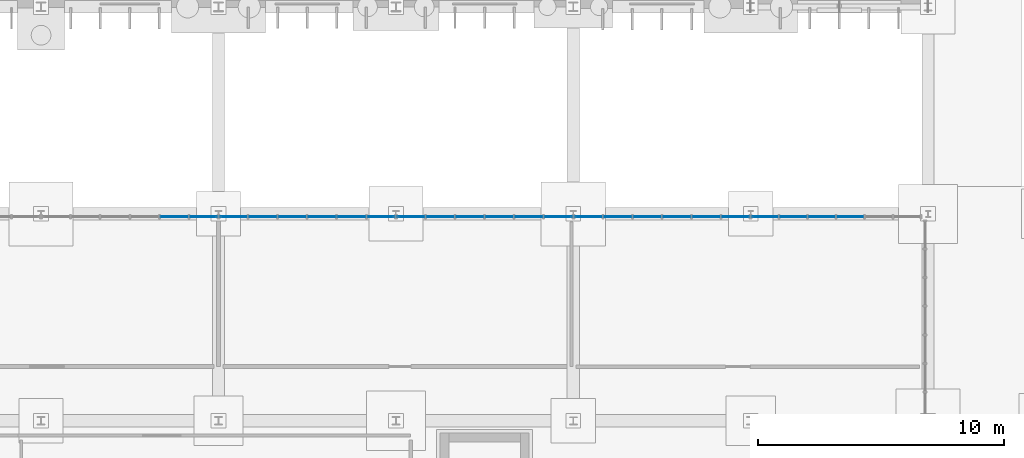
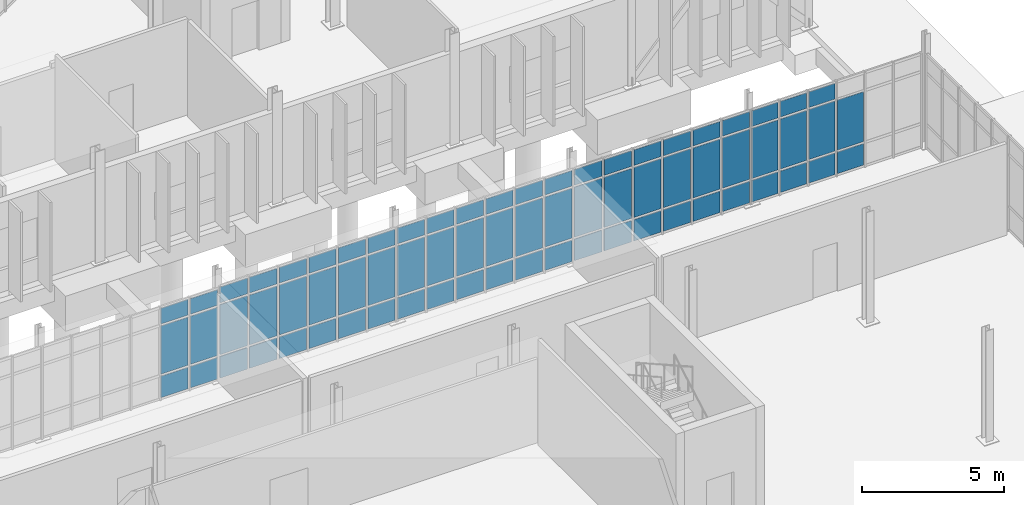
# One storey, part 67 of 118: 71 plates, 5 elements without a shape of their own.
"""IFC4 building model written with IfcOpenShell, lengths in metres."""

from ifc_helpers import new_model, si_unit, direction, frame, origin, origin_2d, place, context, subcontext, project, spatial, rectangle, extrude, material, layer, layer_set, type_object, element, aggregate, save


model = new_model("IFC4")

# Units and contexts
model_context = context("Model", 3, precision=1e-05, world=origin(), true_north=direction((0.0, 1.0)))
body_context = subcontext(model_context, "Body", "Model", "MODEL_VIEW")
ifc_project = project(units=[si_unit("LENGTHUNIT", "METRE"), si_unit("AREAUNIT", "SQUARE_METRE"), si_unit("VOLUMEUNIT", "CUBIC_METRE"), si_unit("PLANEANGLEUNIT", "RADIAN"), si_unit("MASSUNIT", "GRAM", prefix="KILO")], contexts=[model_context])

# Site, building, storey
site_placement = place(None, origin())
site = spatial("IfcSite", under=ifc_project, at=site_placement, CompositionType="ELEMENT")
building_placement = place(site_placement, origin())
building = spatial("IfcBuilding", under=site, at=building_placement, Name="Qelthora Terrace Specialist Clinic", CompositionType="ELEMENT")
storey_placement = place(building_placement, origin())
storey = spatial("IfcBuildingStorey", under=building, at=storey_placement, Name="L00", CompositionType="ELEMENT", Elevation=0.0)

# Curtain wall, plates
ifc_material_1 = material(Name="Aluminium anodized bronze", Category="aluminium")
curtain_wall_type = type_object("IfcCurtainWallType", Name="CW-CONS-X", PredefinedType="NOTDEFINED", material=ifc_material_1)
curtain_wall_1_placement = place(storey_placement, origin())
curtain_wall_1 = element("IfcCurtainWall", 1, at=curtain_wall_1_placement, inside=storey, type_object=curtain_wall_type, Name="Curtain wall CW-L00-217", PredefinedType="NOTDEFINED")
ifc_material_2 = material(Name="Low-E triple-silver insulating glass", Category="glass")
ifc_layer = layer(ifc_material_2, 0.035888671875)
ifc_layer_set = layer_set([ifc_layer], Name="Low-E triple-silver insulating glass")
plate_type = type_object("IfcPlateType", Name="CWP-IGU-36", PredefinedType="CURTAIN_PANEL", material=ifc_layer_set)
plate_1_placement = place(storey_placement, frame((127.800048828125, 25.080078125, 0.0849609375), z_axis=(0.0, 0.0, 1.0), x_axis=(1.0, 0.0, 0.0)))
plate_1 = element("IfcPlate", 2, at=plate_1_placement, type_object=plate_type, Name="CW-L00-217 glazed panel 13", PredefinedType="CURTAIN_PANEL", context=body_context, shape_type="SweptSolid", body=[
    extrude(rectangle(XDim=1.10009765625, YDim=0.035888671875, at=origin_2d()), origin(), (0.0, 0.0, 1.0), 0.919921875),
])
plate_2_placement = place(storey_placement, frame((127.800048828125, 25.080078125, 1.094970703125), z_axis=(0.0, 0.0, 1.0), x_axis=(1.0, 0.0, 0.0)))
plate_2 = element("IfcPlate", 3, at=plate_2_placement, type_object=plate_type, Name="CW-L00-217 glazed panel 14", PredefinedType="CURTAIN_PANEL", context=body_context, shape_type="SweptSolid", body=[
    extrude(rectangle(XDim=1.10009765625, YDim=0.035888671875, at=origin_2d()), origin(), (0.0, 0.0, 1.0), 2.06494140625),
])
plate_3_placement = place(storey_placement, frame((127.800048828125, 25.080078125, 3.25), z_axis=(0.0, 0.0, 1.0), x_axis=(1.0, 0.0, 0.0)))
plate_3 = element("IfcPlate", 4, at=plate_3_placement, type_object=plate_type, Name="CW-L00-217 glazed panel 15", PredefinedType="CURTAIN_PANEL", context=body_context, shape_type="SweptSolid", body=[
    extrude(rectangle(XDim=1.10009765625, YDim=0.035888671875, at=origin_2d()), origin(), (0.0, 0.0, 1.0), 0.669921875),
])
plate_4_placement = place(storey_placement, frame((129.0, 25.080078125, 0.0849609375), z_axis=(0.0, 0.0, 1.0), x_axis=(1.0, 0.0, 0.0)))
plate_4 = element("IfcPlate", 5, at=plate_4_placement, type_object=plate_type, Name="CW-L00-217 glazed panel 16", PredefinedType="CURTAIN_PANEL", context=body_context, shape_type="SweptSolid", body=[
    extrude(rectangle(XDim=1.10009765625, YDim=0.035888671875, at=origin_2d()), origin(), (0.0, 0.0, 1.0), 0.919921875),
])
plate_5_placement = place(storey_placement, frame((129.0, 25.080078125, 1.094970703125), z_axis=(0.0, 0.0, 1.0), x_axis=(1.0, 0.0, 0.0)))
plate_5 = element("IfcPlate", 6, at=plate_5_placement, type_object=plate_type, Name="CW-L00-217 glazed panel 17", PredefinedType="CURTAIN_PANEL", context=body_context, shape_type="SweptSolid", body=[
    extrude(rectangle(XDim=1.10009765625, YDim=0.035888671875, at=origin_2d()), origin(), (0.0, 0.0, 1.0), 2.06494140625),
])
plate_6_placement = place(storey_placement, frame((129.0, 25.080078125, 3.25), z_axis=(0.0, 0.0, 1.0), x_axis=(1.0, 0.0, 0.0)))
plate_6 = element("IfcPlate", 7, at=plate_6_placement, type_object=plate_type, Name="CW-L00-217 glazed panel 18", PredefinedType="CURTAIN_PANEL", context=body_context, shape_type="SweptSolid", body=[
    extrude(rectangle(XDim=1.10009765625, YDim=0.035888671875, at=origin_2d()), origin(), (0.0, 0.0, 1.0), 0.669921875),
])
aggregate(curtain_wall_1, [plate_1, plate_2, plate_3, plate_4, plate_5, plate_6])

curtain_wall_2_placement = place(storey_placement, origin())
curtain_wall_2 = element("IfcCurtainWall", 8, at=curtain_wall_2_placement, inside=storey, type_object=curtain_wall_type, Name="Curtain wall CW-L00-218", PredefinedType="NOTDEFINED")
plate_7_placement = place(storey_placement, frame((130.199951171875, 25.080078125, 0.0849609375), z_axis=(0.0, 0.0, 1.0), x_axis=(1.0, 0.0, 0.0)))
plate_7 = element("IfcPlate", 9, at=plate_7_placement, type_object=plate_type, Name="CW-L00-218 glazed panel 1", PredefinedType="CURTAIN_PANEL", context=body_context, shape_type="SweptSolid", body=[
    extrude(rectangle(XDim=1.10009765625, YDim=0.035888671875, at=origin_2d()), origin(), (0.0, 0.0, 1.0), 0.919921875),
])
plate_8_placement = place(storey_placement, frame((130.199951171875, 25.080078125, 1.09521484375), z_axis=(0.0, 0.0, 1.0), x_axis=(1.0, 0.0, 0.0)))
plate_8 = element("IfcPlate", 10, at=plate_8_placement, type_object=plate_type, Name="CW-L00-218 glazed panel 2", PredefinedType="CURTAIN_PANEL", context=body_context, shape_type="SweptSolid", body=[
    extrude(rectangle(XDim=1.10009765625, YDim=0.035888671875, at=origin_2d()), origin(), (0.0, 0.0, 1.0), 2.135986328125),
])
plate_9_placement = place(storey_placement, frame((130.199951171875, 25.080078125, 3.321044921875), z_axis=(0.0, 0.0, 1.0), x_axis=(1.0, 0.0, 0.0)))
plate_9 = element("IfcPlate", 11, at=plate_9_placement, type_object=plate_type, Name="CW-L00-218 glazed panel 3", PredefinedType="CURTAIN_PANEL", context=body_context, shape_type="SweptSolid", body=[
    extrude(rectangle(XDim=1.10009765625, YDim=0.035888671875, at=origin_2d()), origin(), (0.0, 0.0, 1.0), 0.669921875),
])
plate_10_placement = place(storey_placement, frame((131.39990234375, 25.080078125, 0.0849609375), z_axis=(0.0, 0.0, 1.0), x_axis=(1.0, 0.0, 0.0)))
plate_10 = element("IfcPlate", 12, at=plate_10_placement, type_object=plate_type, Name="CW-L00-218 glazed panel 4", PredefinedType="CURTAIN_PANEL", context=body_context, shape_type="SweptSolid", body=[
    extrude(rectangle(XDim=1.10009765625, YDim=0.035888671875, at=origin_2d()), origin(), (0.0, 0.0, 1.0), 0.919921875),
])
plate_11_placement = place(storey_placement, frame((131.39990234375, 25.080078125, 1.09521484375), z_axis=(0.0, 0.0, 1.0), x_axis=(1.0, 0.0, 0.0)))
plate_11 = element("IfcPlate", 13, at=plate_11_placement, type_object=plate_type, Name="CW-L00-218 glazed panel 5", PredefinedType="CURTAIN_PANEL", context=body_context, shape_type="SweptSolid", body=[
    extrude(rectangle(XDim=1.10009765625, YDim=0.035888671875, at=origin_2d()), origin(), (0.0, 0.0, 1.0), 2.135986328125),
])
plate_12_placement = place(storey_placement, frame((131.39990234375, 25.080078125, 3.321044921875), z_axis=(0.0, 0.0, 1.0), x_axis=(1.0, 0.0, 0.0)))
plate_12 = element("IfcPlate", 14, at=plate_12_placement, type_object=plate_type, Name="CW-L00-218 glazed panel 6", PredefinedType="CURTAIN_PANEL", context=body_context, shape_type="SweptSolid", body=[
    extrude(rectangle(XDim=1.10009765625, YDim=0.035888671875, at=origin_2d()), origin(), (0.0, 0.0, 1.0), 0.669921875),
])
plate_13_placement = place(storey_placement, frame((132.60009765625, 25.080078125, 0.0849609375), z_axis=(0.0, 0.0, 1.0), x_axis=(1.0, 0.0, 0.0)))
plate_13 = element("IfcPlate", 15, at=plate_13_placement, type_object=plate_type, Name="CW-L00-218 glazed panel 7", PredefinedType="CURTAIN_PANEL", context=body_context, shape_type="SweptSolid", body=[
    extrude(rectangle(XDim=1.10009765625, YDim=0.035888671875, at=origin_2d()), origin(), (0.0, 0.0, 1.0), 0.919921875),
])
plate_14_placement = place(storey_placement, frame((132.60009765625, 25.080078125, 1.09521484375), z_axis=(0.0, 0.0, 1.0), x_axis=(1.0, 0.0, 0.0)))
plate_14 = element("IfcPlate", 16, at=plate_14_placement, type_object=plate_type, Name="CW-L00-218 glazed panel 8", PredefinedType="CURTAIN_PANEL", context=body_context, shape_type="SweptSolid", body=[
    extrude(rectangle(XDim=1.10009765625, YDim=0.035888671875, at=origin_2d()), origin(), (0.0, 0.0, 1.0), 2.135986328125),
])
plate_15_placement = place(storey_placement, frame((132.60009765625, 25.080078125, 3.321044921875), z_axis=(0.0, 0.0, 1.0), x_axis=(1.0, 0.0, 0.0)))
plate_15 = element("IfcPlate", 17, at=plate_15_placement, type_object=plate_type, Name="CW-L00-218 glazed panel 9", PredefinedType="CURTAIN_PANEL", context=body_context, shape_type="SweptSolid", body=[
    extrude(rectangle(XDim=1.10009765625, YDim=0.035888671875, at=origin_2d()), origin(), (0.0, 0.0, 1.0), 0.669921875),
])
plate_16_placement = place(storey_placement, frame((133.800048828125, 25.080078125, 0.0849609375), z_axis=(0.0, 0.0, 1.0), x_axis=(1.0, 0.0, 0.0)))
plate_16 = element("IfcPlate", 18, at=plate_16_placement, type_object=plate_type, Name="CW-L00-218 glazed panel 10", PredefinedType="CURTAIN_PANEL", context=body_context, shape_type="SweptSolid", body=[
    extrude(rectangle(XDim=1.10009765625, YDim=0.035888671875, at=origin_2d()), origin(), (0.0, 0.0, 1.0), 0.919921875),
])
plate_17_placement = place(storey_placement, frame((133.800048828125, 25.080078125, 1.09521484375), z_axis=(0.0, 0.0, 1.0), x_axis=(1.0, 0.0, 0.0)))
plate_17 = element("IfcPlate", 19, at=plate_17_placement, type_object=plate_type, Name="CW-L00-218 glazed panel 11", PredefinedType="CURTAIN_PANEL", context=body_context, shape_type="SweptSolid", body=[
    extrude(rectangle(XDim=1.10009765625, YDim=0.035888671875, at=origin_2d()), origin(), (0.0, 0.0, 1.0), 2.135986328125),
])
plate_18_placement = place(storey_placement, frame((133.800048828125, 25.080078125, 3.321044921875), z_axis=(0.0, 0.0, 1.0), x_axis=(1.0, 0.0, 0.0)))
plate_18 = element("IfcPlate", 20, at=plate_18_placement, type_object=plate_type, Name="CW-L00-218 glazed panel 12", PredefinedType="CURTAIN_PANEL", context=body_context, shape_type="SweptSolid", body=[
    extrude(rectangle(XDim=1.10009765625, YDim=0.035888671875, at=origin_2d()), origin(), (0.0, 0.0, 1.0), 0.669921875),
])
plate_19_placement = place(storey_placement, frame((135.0, 25.080078125, 0.0849609375), z_axis=(0.0, 0.0, 1.0), x_axis=(1.0, 0.0, 0.0)))
plate_19 = element("IfcPlate", 21, at=plate_19_placement, type_object=plate_type, Name="CW-L00-218 glazed panel 13", PredefinedType="CURTAIN_PANEL", context=body_context, shape_type="SweptSolid", body=[
    extrude(rectangle(XDim=1.10009765625, YDim=0.035888671875, at=origin_2d()), origin(), (0.0, 0.0, 1.0), 0.919921875),
])
plate_20_placement = place(storey_placement, frame((135.0, 25.080078125, 1.09521484375), z_axis=(0.0, 0.0, 1.0), x_axis=(1.0, 0.0, 0.0)))
plate_20 = element("IfcPlate", 22, at=plate_20_placement, type_object=plate_type, Name="CW-L00-218 glazed panel 14", PredefinedType="CURTAIN_PANEL", context=body_context, shape_type="SweptSolid", body=[
    extrude(rectangle(XDim=1.10009765625, YDim=0.035888671875, at=origin_2d()), origin(), (0.0, 0.0, 1.0), 2.135986328125),
])
plate_21_placement = place(storey_placement, frame((135.0, 25.080078125, 3.321044921875), z_axis=(0.0, 0.0, 1.0), x_axis=(1.0, 0.0, 0.0)))
plate_21 = element("IfcPlate", 23, at=plate_21_placement, type_object=plate_type, Name="CW-L00-218 glazed panel 15", PredefinedType="CURTAIN_PANEL", context=body_context, shape_type="SweptSolid", body=[
    extrude(rectangle(XDim=1.10009765625, YDim=0.035888671875, at=origin_2d()), origin(), (0.0, 0.0, 1.0), 0.669921875),
])
plate_22_placement = place(storey_placement, frame((136.199951171875, 25.080078125, 0.0849609375), z_axis=(0.0, 0.0, 1.0), x_axis=(1.0, 0.0, 0.0)))
plate_22 = element("IfcPlate", 24, at=plate_22_placement, type_object=plate_type, Name="CW-L00-218 glazed panel 16", PredefinedType="CURTAIN_PANEL", context=body_context, shape_type="SweptSolid", body=[
    extrude(rectangle(XDim=1.10009765625, YDim=0.035888671875, at=origin_2d()), origin(), (0.0, 0.0, 1.0), 0.919921875),
])
plate_23_placement = place(storey_placement, frame((136.199951171875, 25.080078125, 1.09521484375), z_axis=(0.0, 0.0, 1.0), x_axis=(1.0, 0.0, 0.0)))
plate_23 = element("IfcPlate", 25, at=plate_23_placement, type_object=plate_type, Name="CW-L00-218 glazed panel 17", PredefinedType="CURTAIN_PANEL", context=body_context, shape_type="SweptSolid", body=[
    extrude(rectangle(XDim=1.10009765625, YDim=0.035888671875, at=origin_2d()), origin(), (0.0, 0.0, 1.0), 2.135986328125),
])
plate_24_placement = place(storey_placement, frame((136.199951171875, 25.080078125, 3.321044921875), z_axis=(0.0, 0.0, 1.0), x_axis=(1.0, 0.0, 0.0)))
plate_24 = element("IfcPlate", 26, at=plate_24_placement, type_object=plate_type, Name="CW-L00-218 glazed panel 18", PredefinedType="CURTAIN_PANEL", context=body_context, shape_type="SweptSolid", body=[
    extrude(rectangle(XDim=1.10009765625, YDim=0.035888671875, at=origin_2d()), origin(), (0.0, 0.0, 1.0), 0.669921875),
])
aggregate(curtain_wall_2, [plate_7, plate_8, plate_9, plate_10, plate_11, plate_12, plate_13, plate_14, plate_15, plate_16, plate_17, plate_18, plate_19, plate_20, plate_21, plate_22, plate_23, plate_24])

curtain_wall_3_placement = place(storey_placement, origin())
curtain_wall_3 = element("IfcCurtainWall", 27, at=curtain_wall_3_placement, inside=storey, type_object=curtain_wall_type, Name="Curtain wall CW-L00-219", PredefinedType="NOTDEFINED")
plate_25_placement = place(storey_placement, frame((137.39990234375, 25.080078125, 0.0849609375), z_axis=(0.0, 0.0, 1.0), x_axis=(1.0, 0.0, 0.0)))
plate_25 = element("IfcPlate", 28, at=plate_25_placement, type_object=plate_type, Name="CW-L00-219 glazed panel 1", PredefinedType="CURTAIN_PANEL", context=body_context, shape_type="SweptSolid", body=[
    extrude(rectangle(XDim=1.10009765625, YDim=0.035888671875, at=origin_2d()), origin(), (0.0, 0.0, 1.0), 0.919921875),
])
plate_26_placement = place(storey_placement, frame((137.39990234375, 25.080078125, 1.094970703125), z_axis=(0.0, 0.0, 1.0), x_axis=(1.0, 0.0, 0.0)))
plate_26 = element("IfcPlate", 29, at=plate_26_placement, type_object=plate_type, Name="CW-L00-219 glazed panel 2", PredefinedType="CURTAIN_PANEL", context=body_context, shape_type="SweptSolid", body=[
    extrude(rectangle(XDim=1.10009765625, YDim=0.035888671875, at=origin_2d()), origin(), (0.0, 0.0, 1.0), 2.14208984375),
])
plate_27_placement = place(storey_placement, frame((137.39990234375, 25.080078125, 3.3271484375), z_axis=(0.0, 0.0, 1.0), x_axis=(1.0, 0.0, 0.0)))
plate_27 = element("IfcPlate", 30, at=plate_27_placement, type_object=plate_type, Name="CW-L00-219 glazed panel 3", PredefinedType="CURTAIN_PANEL", context=body_context, shape_type="SweptSolid", body=[
    extrude(rectangle(XDim=1.10009765625, YDim=0.035888671875, at=origin_2d()), origin(), (0.0, 0.0, 1.0), 0.669921875),
])
plate_28_placement = place(storey_placement, frame((138.60009765625, 25.080078125, 0.0849609375), z_axis=(0.0, 0.0, 1.0), x_axis=(1.0, 0.0, 0.0)))
plate_28 = element("IfcPlate", 31, at=plate_28_placement, type_object=plate_type, Name="CW-L00-219 glazed panel 4", PredefinedType="CURTAIN_PANEL", context=body_context, shape_type="SweptSolid", body=[
    extrude(rectangle(XDim=1.10009765625, YDim=0.035888671875, at=origin_2d()), origin(), (0.0, 0.0, 1.0), 0.919921875),
])
plate_29_placement = place(storey_placement, frame((138.60009765625, 25.080078125, 1.094970703125), z_axis=(0.0, 0.0, 1.0), x_axis=(1.0, 0.0, 0.0)))
plate_29 = element("IfcPlate", 32, at=plate_29_placement, type_object=plate_type, Name="CW-L00-219 glazed panel 5", PredefinedType="CURTAIN_PANEL", context=body_context, shape_type="SweptSolid", body=[
    extrude(rectangle(XDim=1.10009765625, YDim=0.035888671875, at=origin_2d()), origin(), (0.0, 0.0, 1.0), 2.14208984375),
])
plate_30_placement = place(storey_placement, frame((138.60009765625, 25.080078125, 3.3271484375), z_axis=(0.0, 0.0, 1.0), x_axis=(1.0, 0.0, 0.0)))
plate_30 = element("IfcPlate", 33, at=plate_30_placement, type_object=plate_type, Name="CW-L00-219 glazed panel 6", PredefinedType="CURTAIN_PANEL", context=body_context, shape_type="SweptSolid", body=[
    extrude(rectangle(XDim=1.10009765625, YDim=0.035888671875, at=origin_2d()), origin(), (0.0, 0.0, 1.0), 0.669921875),
])
plate_31_placement = place(storey_placement, frame((139.800048828125, 25.080078125, 0.0849609375), z_axis=(0.0, 0.0, 1.0), x_axis=(1.0, 0.0, 0.0)))
plate_31 = element("IfcPlate", 34, at=plate_31_placement, type_object=plate_type, Name="CW-L00-219 glazed panel 7", PredefinedType="CURTAIN_PANEL", context=body_context, shape_type="SweptSolid", body=[
    extrude(rectangle(XDim=1.10009765625, YDim=0.035888671875, at=origin_2d()), origin(), (0.0, 0.0, 1.0), 0.919921875),
])
plate_32_placement = place(storey_placement, frame((139.800048828125, 25.080078125, 1.094970703125), z_axis=(0.0, 0.0, 1.0), x_axis=(1.0, 0.0, 0.0)))
plate_32 = element("IfcPlate", 35, at=plate_32_placement, type_object=plate_type, Name="CW-L00-219 glazed panel 8", PredefinedType="CURTAIN_PANEL", context=body_context, shape_type="SweptSolid", body=[
    extrude(rectangle(XDim=1.10009765625, YDim=0.035888671875, at=origin_2d()), origin(), (0.0, 0.0, 1.0), 2.14208984375),
])
plate_33_placement = place(storey_placement, frame((139.800048828125, 25.080078125, 3.3271484375), z_axis=(0.0, 0.0, 1.0), x_axis=(1.0, 0.0, 0.0)))
plate_33 = element("IfcPlate", 36, at=plate_33_placement, type_object=plate_type, Name="CW-L00-219 glazed panel 9", PredefinedType="CURTAIN_PANEL", context=body_context, shape_type="SweptSolid", body=[
    extrude(rectangle(XDim=1.10009765625, YDim=0.035888671875, at=origin_2d()), origin(), (0.0, 0.0, 1.0), 0.669921875),
])
plate_34_placement = place(storey_placement, frame((141.0, 25.080078125, 0.0849609375), z_axis=(0.0, 0.0, 1.0), x_axis=(1.0, 0.0, 0.0)))
plate_34 = element("IfcPlate", 37, at=plate_34_placement, type_object=plate_type, Name="CW-L00-219 glazed panel 10", PredefinedType="CURTAIN_PANEL", context=body_context, shape_type="SweptSolid", body=[
    extrude(rectangle(XDim=1.10009765625, YDim=0.035888671875, at=origin_2d()), origin(), (0.0, 0.0, 1.0), 0.919921875),
])
plate_35_placement = place(storey_placement, frame((141.0, 25.080078125, 1.094970703125), z_axis=(0.0, 0.0, 1.0), x_axis=(1.0, 0.0, 0.0)))
plate_35 = element("IfcPlate", 38, at=plate_35_placement, type_object=plate_type, Name="CW-L00-219 glazed panel 11", PredefinedType="CURTAIN_PANEL", context=body_context, shape_type="SweptSolid", body=[
    extrude(rectangle(XDim=1.10009765625, YDim=0.035888671875, at=origin_2d()), origin(), (0.0, 0.0, 1.0), 2.14208984375),
])
plate_36_placement = place(storey_placement, frame((141.0, 25.080078125, 3.3271484375), z_axis=(0.0, 0.0, 1.0), x_axis=(1.0, 0.0, 0.0)))
plate_36 = element("IfcPlate", 39, at=plate_36_placement, type_object=plate_type, Name="CW-L00-219 glazed panel 12", PredefinedType="CURTAIN_PANEL", context=body_context, shape_type="SweptSolid", body=[
    extrude(rectangle(XDim=1.10009765625, YDim=0.035888671875, at=origin_2d()), origin(), (0.0, 0.0, 1.0), 0.669921875),
])
plate_37_placement = place(storey_placement, frame((142.199951171875, 25.080078125, 0.0849609375), z_axis=(0.0, 0.0, 1.0), x_axis=(1.0, 0.0, 0.0)))
plate_37 = element("IfcPlate", 40, at=plate_37_placement, type_object=plate_type, Name="CW-L00-219 glazed panel 13", PredefinedType="CURTAIN_PANEL", context=body_context, shape_type="SweptSolid", body=[
    extrude(rectangle(XDim=1.10009765625, YDim=0.035888671875, at=origin_2d()), origin(), (0.0, 0.0, 1.0), 0.919921875),
])
plate_38_placement = place(storey_placement, frame((142.199951171875, 25.080078125, 1.094970703125), z_axis=(0.0, 0.0, 1.0), x_axis=(1.0, 0.0, 0.0)))
plate_38 = element("IfcPlate", 41, at=plate_38_placement, type_object=plate_type, Name="CW-L00-219 glazed panel 14", PredefinedType="CURTAIN_PANEL", context=body_context, shape_type="SweptSolid", body=[
    extrude(rectangle(XDim=1.10009765625, YDim=0.035888671875, at=origin_2d()), origin(), (0.0, 0.0, 1.0), 2.14208984375),
])
plate_39_placement = place(storey_placement, frame((142.199951171875, 25.080078125, 3.3271484375), z_axis=(0.0, 0.0, 1.0), x_axis=(1.0, 0.0, 0.0)))
plate_39 = element("IfcPlate", 42, at=plate_39_placement, type_object=plate_type, Name="CW-L00-219 glazed panel 15", PredefinedType="CURTAIN_PANEL", context=body_context, shape_type="SweptSolid", body=[
    extrude(rectangle(XDim=1.10009765625, YDim=0.035888671875, at=origin_2d()), origin(), (0.0, 0.0, 1.0), 0.669921875),
])
plate_40_placement = place(storey_placement, frame((143.39990234375, 25.080078125, 0.0849609375), z_axis=(0.0, 0.0, 1.0), x_axis=(1.0, 0.0, 0.0)))
plate_40 = element("IfcPlate", 43, at=plate_40_placement, type_object=plate_type, Name="CW-L00-219 glazed panel 16", PredefinedType="CURTAIN_PANEL", context=body_context, shape_type="SweptSolid", body=[
    extrude(rectangle(XDim=1.10009765625, YDim=0.035888671875, at=origin_2d()), origin(), (0.0, 0.0, 1.0), 0.919921875),
])
plate_41_placement = place(storey_placement, frame((143.39990234375, 25.080078125, 1.094970703125), z_axis=(0.0, 0.0, 1.0), x_axis=(1.0, 0.0, 0.0)))
plate_41 = element("IfcPlate", 44, at=plate_41_placement, type_object=plate_type, Name="CW-L00-219 glazed panel 17", PredefinedType="CURTAIN_PANEL", context=body_context, shape_type="SweptSolid", body=[
    extrude(rectangle(XDim=1.10009765625, YDim=0.035888671875, at=origin_2d()), origin(), (0.0, 0.0, 1.0), 2.14208984375),
])
plate_42_placement = place(storey_placement, frame((143.39990234375, 25.080078125, 3.3271484375), z_axis=(0.0, 0.0, 1.0), x_axis=(1.0, 0.0, 0.0)))
plate_42 = element("IfcPlate", 45, at=plate_42_placement, type_object=plate_type, Name="CW-L00-219 glazed panel 18", PredefinedType="CURTAIN_PANEL", context=body_context, shape_type="SweptSolid", body=[
    extrude(rectangle(XDim=1.10009765625, YDim=0.035888671875, at=origin_2d()), origin(), (0.0, 0.0, 1.0), 0.669921875),
])
aggregate(curtain_wall_3, [plate_25, plate_26, plate_27, plate_28, plate_29, plate_30, plate_31, plate_32, plate_33, plate_34, plate_35, plate_36, plate_37, plate_38, plate_39, plate_40, plate_41, plate_42])

curtain_wall_4_placement = place(storey_placement, origin())
curtain_wall_4 = element("IfcCurtainWall", 46, at=curtain_wall_4_placement, inside=storey, type_object=curtain_wall_type, Name="Curtain wall CW-L00-220", PredefinedType="NOTDEFINED")
plate_43_placement = place(storey_placement, frame((144.60009765625, 25.080078125, 0.0849609375), z_axis=(0.0, 0.0, 1.0), x_axis=(1.0, 0.0, 0.0)))
plate_43 = element("IfcPlate", 47, at=plate_43_placement, type_object=plate_type, Name="CW-L00-220 glazed panel 1", PredefinedType="CURTAIN_PANEL", context=body_context, shape_type="SweptSolid", body=[
    extrude(rectangle(XDim=1.10009765625, YDim=0.035888671875, at=origin_2d()), origin(), (0.0, 0.0, 1.0), 0.919921875),
])
plate_44_placement = place(storey_placement, frame((144.60009765625, 25.080078125, 1.094970703125), z_axis=(0.0, 0.0, 1.0), x_axis=(1.0, 0.0, 0.0)))
plate_44 = element("IfcPlate", 48, at=plate_44_placement, type_object=plate_type, Name="CW-L00-220 glazed panel 2", PredefinedType="CURTAIN_PANEL", context=body_context, shape_type="SweptSolid", body=[
    extrude(rectangle(XDim=1.10009765625, YDim=0.035888671875, at=origin_2d()), origin(), (0.0, 0.0, 1.0), 2.14208984375),
])
plate_45_placement = place(storey_placement, frame((144.60009765625, 25.080078125, 3.3271484375), z_axis=(0.0, 0.0, 1.0), x_axis=(1.0, 0.0, 0.0)))
plate_45 = element("IfcPlate", 49, at=plate_45_placement, type_object=plate_type, Name="CW-L00-220 glazed panel 3", PredefinedType="CURTAIN_PANEL", context=body_context, shape_type="SweptSolid", body=[
    extrude(rectangle(XDim=1.10009765625, YDim=0.035888671875, at=origin_2d()), origin(), (0.0, 0.0, 1.0), 0.669921875),
])
plate_46_placement = place(storey_placement, frame((145.800048828125, 25.080078125, 0.0849609375), z_axis=(0.0, 0.0, 1.0), x_axis=(1.0, 0.0, 0.0)))
plate_46 = element("IfcPlate", 50, at=plate_46_placement, type_object=plate_type, Name="CW-L00-220 glazed panel 4", PredefinedType="CURTAIN_PANEL", context=body_context, shape_type="SweptSolid", body=[
    extrude(rectangle(XDim=1.10009765625, YDim=0.035888671875, at=origin_2d()), origin(), (0.0, 0.0, 1.0), 0.919921875),
])
plate_47_placement = place(storey_placement, frame((145.800048828125, 25.080078125, 1.094970703125), z_axis=(0.0, 0.0, 1.0), x_axis=(1.0, 0.0, 0.0)))
plate_47 = element("IfcPlate", 51, at=plate_47_placement, type_object=plate_type, Name="CW-L00-220 glazed panel 5", PredefinedType="CURTAIN_PANEL", context=body_context, shape_type="SweptSolid", body=[
    extrude(rectangle(XDim=1.10009765625, YDim=0.035888671875, at=origin_2d()), origin(), (0.0, 0.0, 1.0), 2.14208984375),
])
plate_48_placement = place(storey_placement, frame((145.800048828125, 25.080078125, 3.3271484375), z_axis=(0.0, 0.0, 1.0), x_axis=(1.0, 0.0, 0.0)))
plate_48 = element("IfcPlate", 52, at=plate_48_placement, type_object=plate_type, Name="CW-L00-220 glazed panel 6", PredefinedType="CURTAIN_PANEL", context=body_context, shape_type="SweptSolid", body=[
    extrude(rectangle(XDim=1.10009765625, YDim=0.035888671875, at=origin_2d()), origin(), (0.0, 0.0, 1.0), 0.669921875),
])
plate_49_placement = place(storey_placement, frame((147.0, 25.080078125, 0.0849609375), z_axis=(0.0, 0.0, 1.0), x_axis=(1.0, 0.0, 0.0)))
plate_49 = element("IfcPlate", 53, at=plate_49_placement, type_object=plate_type, Name="CW-L00-220 glazed panel 7", PredefinedType="CURTAIN_PANEL", context=body_context, shape_type="SweptSolid", body=[
    extrude(rectangle(XDim=1.10009765625, YDim=0.035888671875, at=origin_2d()), origin(), (0.0, 0.0, 1.0), 0.919921875),
])
plate_50_placement = place(storey_placement, frame((147.0, 25.080078125, 1.094970703125), z_axis=(0.0, 0.0, 1.0), x_axis=(1.0, 0.0, 0.0)))
plate_50 = element("IfcPlate", 54, at=plate_50_placement, type_object=plate_type, Name="CW-L00-220 glazed panel 8", PredefinedType="CURTAIN_PANEL", context=body_context, shape_type="SweptSolid", body=[
    extrude(rectangle(XDim=1.10009765625, YDim=0.035888671875, at=origin_2d()), origin(), (0.0, 0.0, 1.0), 2.14208984375),
])
plate_51_placement = place(storey_placement, frame((147.0, 25.080078125, 3.3271484375), z_axis=(0.0, 0.0, 1.0), x_axis=(1.0, 0.0, 0.0)))
plate_51 = element("IfcPlate", 55, at=plate_51_placement, type_object=plate_type, Name="CW-L00-220 glazed panel 9", PredefinedType="CURTAIN_PANEL", context=body_context, shape_type="SweptSolid", body=[
    extrude(rectangle(XDim=1.10009765625, YDim=0.035888671875, at=origin_2d()), origin(), (0.0, 0.0, 1.0), 0.669921875),
])
plate_52_placement = place(storey_placement, frame((148.199951171875, 25.080078125, 0.0849609375), z_axis=(0.0, 0.0, 1.0), x_axis=(1.0, 0.0, 0.0)))
plate_52 = element("IfcPlate", 56, at=plate_52_placement, type_object=plate_type, Name="CW-L00-220 glazed panel 10", PredefinedType="CURTAIN_PANEL", context=body_context, shape_type="SweptSolid", body=[
    extrude(rectangle(XDim=1.10009765625, YDim=0.035888671875, at=origin_2d()), origin(), (0.0, 0.0, 1.0), 0.919921875),
])
plate_53_placement = place(storey_placement, frame((148.199951171875, 25.080078125, 1.094970703125), z_axis=(0.0, 0.0, 1.0), x_axis=(1.0, 0.0, 0.0)))
plate_53 = element("IfcPlate", 57, at=plate_53_placement, type_object=plate_type, Name="CW-L00-220 glazed panel 11", PredefinedType="CURTAIN_PANEL", context=body_context, shape_type="SweptSolid", body=[
    extrude(rectangle(XDim=1.10009765625, YDim=0.035888671875, at=origin_2d()), origin(), (0.0, 0.0, 1.0), 2.14208984375),
])
plate_54_placement = place(storey_placement, frame((148.199951171875, 25.080078125, 3.3271484375), z_axis=(0.0, 0.0, 1.0), x_axis=(1.0, 0.0, 0.0)))
plate_54 = element("IfcPlate", 58, at=plate_54_placement, type_object=plate_type, Name="CW-L00-220 glazed panel 12", PredefinedType="CURTAIN_PANEL", context=body_context, shape_type="SweptSolid", body=[
    extrude(rectangle(XDim=1.10009765625, YDim=0.035888671875, at=origin_2d()), origin(), (0.0, 0.0, 1.0), 0.669921875),
])
plate_55_placement = place(storey_placement, frame((149.39990234375, 25.080078125, 0.0849609375), z_axis=(0.0, 0.0, 1.0), x_axis=(1.0, 0.0, 0.0)))
plate_55 = element("IfcPlate", 59, at=plate_55_placement, type_object=plate_type, Name="CW-L00-220 glazed panel 13", PredefinedType="CURTAIN_PANEL", context=body_context, shape_type="SweptSolid", body=[
    extrude(rectangle(XDim=1.10009765625, YDim=0.035888671875, at=origin_2d()), origin(), (0.0, 0.0, 1.0), 0.919921875),
])
plate_56_placement = place(storey_placement, frame((149.39990234375, 25.080078125, 1.094970703125), z_axis=(0.0, 0.0, 1.0), x_axis=(1.0, 0.0, 0.0)))
plate_56 = element("IfcPlate", 60, at=plate_56_placement, type_object=plate_type, Name="CW-L00-220 glazed panel 14", PredefinedType="CURTAIN_PANEL", context=body_context, shape_type="SweptSolid", body=[
    extrude(rectangle(XDim=1.10009765625, YDim=0.035888671875, at=origin_2d()), origin(), (0.0, 0.0, 1.0), 2.14208984375),
])
plate_57_placement = place(storey_placement, frame((149.39990234375, 25.080078125, 3.3271484375), z_axis=(0.0, 0.0, 1.0), x_axis=(1.0, 0.0, 0.0)))
plate_57 = element("IfcPlate", 61, at=plate_57_placement, type_object=plate_type, Name="CW-L00-220 glazed panel 15", PredefinedType="CURTAIN_PANEL", context=body_context, shape_type="SweptSolid", body=[
    extrude(rectangle(XDim=1.10009765625, YDim=0.035888671875, at=origin_2d()), origin(), (0.0, 0.0, 1.0), 0.669921875),
])
plate_58_placement = place(storey_placement, frame((150.60009765625, 25.080078125, 0.0849609375), z_axis=(0.0, 0.0, 1.0), x_axis=(1.0, 0.0, 0.0)))
plate_58 = element("IfcPlate", 62, at=plate_58_placement, type_object=plate_type, Name="CW-L00-220 glazed panel 16", PredefinedType="CURTAIN_PANEL", context=body_context, shape_type="SweptSolid", body=[
    extrude(rectangle(XDim=1.10009765625, YDim=0.035888671875, at=origin_2d()), origin(), (0.0, 0.0, 1.0), 0.919921875),
])
plate_59_placement = place(storey_placement, frame((150.60009765625, 25.080078125, 1.094970703125), z_axis=(0.0, 0.0, 1.0), x_axis=(1.0, 0.0, 0.0)))
plate_59 = element("IfcPlate", 63, at=plate_59_placement, type_object=plate_type, Name="CW-L00-220 glazed panel 17", PredefinedType="CURTAIN_PANEL", context=body_context, shape_type="SweptSolid", body=[
    extrude(rectangle(XDim=1.10009765625, YDim=0.035888671875, at=origin_2d()), origin(), (0.0, 0.0, 1.0), 2.14208984375),
])
plate_60_placement = place(storey_placement, frame((150.60009765625, 25.080078125, 3.3271484375), z_axis=(0.0, 0.0, 1.0), x_axis=(1.0, 0.0, 0.0)))
plate_60 = element("IfcPlate", 64, at=plate_60_placement, type_object=plate_type, Name="CW-L00-220 glazed panel 18", PredefinedType="CURTAIN_PANEL", context=body_context, shape_type="SweptSolid", body=[
    extrude(rectangle(XDim=1.10009765625, YDim=0.035888671875, at=origin_2d()), origin(), (0.0, 0.0, 1.0), 0.669921875),
])
aggregate(curtain_wall_4, [plate_43, plate_44, plate_45, plate_46, plate_47, plate_48, plate_49, plate_50, plate_51, plate_52, plate_53, plate_54, plate_55, plate_56, plate_57, plate_58, plate_59, plate_60])

curtain_wall_5_placement = place(storey_placement, origin())
curtain_wall_5 = element("IfcCurtainWall", 65, at=curtain_wall_5_placement, inside=storey, type_object=curtain_wall_type, Name="Curtain wall CW-L00-221", PredefinedType="NOTDEFINED")
plate_61_placement = place(storey_placement, frame((151.7783203125, 25.080078125, 0.0849609375), z_axis=(0.0, 0.0, 1.0), x_axis=(1.0, 0.0, 0.0)))
plate_61 = element("IfcPlate", 66, at=plate_61_placement, type_object=plate_type, Name="CW-L00-221 glazed panel 1", PredefinedType="CURTAIN_PANEL", context=body_context, shape_type="SweptSolid", body=[
    extrude(rectangle(XDim=1.056640625, YDim=0.035888671875, at=origin_2d()), origin(), (0.0, 0.0, 1.0), 0.919921875),
])
plate_62_placement = place(storey_placement, frame((151.7783203125, 25.080078125, 1.094970703125), z_axis=(0.0, 0.0, 1.0), x_axis=(1.0, 0.0, 0.0)))
plate_62 = element("IfcPlate", 67, at=plate_62_placement, type_object=plate_type, Name="CW-L00-221 glazed panel 2", PredefinedType="CURTAIN_PANEL", context=body_context, shape_type="SweptSolid", body=[
    extrude(rectangle(XDim=1.056640625, YDim=0.035888671875, at=origin_2d()), origin(), (0.0, 0.0, 1.0), 2.14208984375),
])
plate_63_placement = place(storey_placement, frame((151.7783203125, 25.080078125, 3.3271484375), z_axis=(0.0, 0.0, 1.0), x_axis=(1.0, 0.0, 0.0)))
plate_63 = element("IfcPlate", 68, at=plate_63_placement, type_object=plate_type, Name="CW-L00-221 glazed panel 3", PredefinedType="CURTAIN_PANEL", context=body_context, shape_type="SweptSolid", body=[
    extrude(rectangle(XDim=1.056640625, YDim=0.035888671875, at=origin_2d()), origin(), (0.0, 0.0, 1.0), 0.669921875),
])
plate_64_placement = place(storey_placement, frame((152.93505859375, 25.080078125, 0.0849609375), z_axis=(0.0, 0.0, 1.0), x_axis=(1.0, 0.0, 0.0)))
plate_64 = element("IfcPlate", 69, at=plate_64_placement, type_object=plate_type, Name="CW-L00-221 glazed panel 4", PredefinedType="CURTAIN_PANEL", context=body_context, shape_type="SweptSolid", body=[
    extrude(rectangle(XDim=1.056640625, YDim=0.035888671875, at=origin_2d()), origin(), (0.0, 0.0, 1.0), 0.919921875),
])
plate_65_placement = place(storey_placement, frame((152.93505859375, 25.080078125, 1.094970703125), z_axis=(0.0, 0.0, 1.0), x_axis=(1.0, 0.0, 0.0)))
plate_65 = element("IfcPlate", 70, at=plate_65_placement, type_object=plate_type, Name="CW-L00-221 glazed panel 5", PredefinedType="CURTAIN_PANEL", context=body_context, shape_type="SweptSolid", body=[
    extrude(rectangle(XDim=1.056640625, YDim=0.035888671875, at=origin_2d()), origin(), (0.0, 0.0, 1.0), 2.14208984375),
])
plate_66_placement = place(storey_placement, frame((152.93505859375, 25.080078125, 3.3271484375), z_axis=(0.0, 0.0, 1.0), x_axis=(1.0, 0.0, 0.0)))
plate_66 = element("IfcPlate", 71, at=plate_66_placement, type_object=plate_type, Name="CW-L00-221 glazed panel 6", PredefinedType="CURTAIN_PANEL", context=body_context, shape_type="SweptSolid", body=[
    extrude(rectangle(XDim=1.056640625, YDim=0.035888671875, at=origin_2d()), origin(), (0.0, 0.0, 1.0), 0.669921875),
])
plate_67_placement = place(storey_placement, frame((154.091552734375, 25.080078125, 0.0849609375), z_axis=(0.0, 0.0, 1.0), x_axis=(1.0, 0.0, 0.0)))
plate_67 = element("IfcPlate", 72, at=plate_67_placement, type_object=plate_type, Name="CW-L00-221 glazed panel 7", PredefinedType="CURTAIN_PANEL", context=body_context, shape_type="SweptSolid", body=[
    extrude(rectangle(XDim=1.056640625, YDim=0.035888671875, at=origin_2d()), origin(), (0.0, 0.0, 1.0), 0.919921875),
])
plate_68_placement = place(storey_placement, frame((154.091552734375, 25.080078125, 1.094970703125), z_axis=(0.0, 0.0, 1.0), x_axis=(1.0, 0.0, 0.0)))
plate_68 = element("IfcPlate", 73, at=plate_68_placement, type_object=plate_type, Name="CW-L00-221 glazed panel 8", PredefinedType="CURTAIN_PANEL", context=body_context, shape_type="SweptSolid", body=[
    extrude(rectangle(XDim=1.056640625, YDim=0.035888671875, at=origin_2d()), origin(), (0.0, 0.0, 1.0), 2.14208984375),
])
plate_69_placement = place(storey_placement, frame((154.091552734375, 25.080078125, 3.3271484375), z_axis=(0.0, 0.0, 1.0), x_axis=(1.0, 0.0, 0.0)))
plate_69 = element("IfcPlate", 74, at=plate_69_placement, type_object=plate_type, Name="CW-L00-221 glazed panel 9", PredefinedType="CURTAIN_PANEL", context=body_context, shape_type="SweptSolid", body=[
    extrude(rectangle(XDim=1.056640625, YDim=0.035888671875, at=origin_2d()), origin(), (0.0, 0.0, 1.0), 0.669921875),
])
plate_70_placement = place(storey_placement, frame((155.248291015625, 25.080078125, 0.0849609375), z_axis=(0.0, 0.0, 1.0), x_axis=(1.0, 0.0, 0.0)))
plate_70 = element("IfcPlate", 75, at=plate_70_placement, type_object=plate_type, Name="CW-L00-221 glazed panel 10", PredefinedType="CURTAIN_PANEL", context=body_context, shape_type="SweptSolid", body=[
    extrude(rectangle(XDim=1.056640625, YDim=0.035888671875, at=origin_2d()), origin(), (0.0, 0.0, 1.0), 0.919921875),
])
plate_71_placement = place(storey_placement, frame((155.248291015625, 25.080078125, 1.094970703125), z_axis=(0.0, 0.0, 1.0), x_axis=(1.0, 0.0, 0.0)))
plate_71 = element("IfcPlate", 76, at=plate_71_placement, type_object=plate_type, Name="CW-L00-221 glazed panel 11", PredefinedType="CURTAIN_PANEL", context=body_context, shape_type="SweptSolid", body=[
    extrude(rectangle(XDim=1.056640625, YDim=0.035888671875, at=origin_2d()), origin(), (0.0, 0.0, 1.0), 2.14208984375),
])
aggregate(curtain_wall_5, [plate_61, plate_62, plate_63, plate_64, plate_65, plate_66, plate_67, plate_68, plate_69, plate_70, plate_71])

save(model, "model.ifc")
